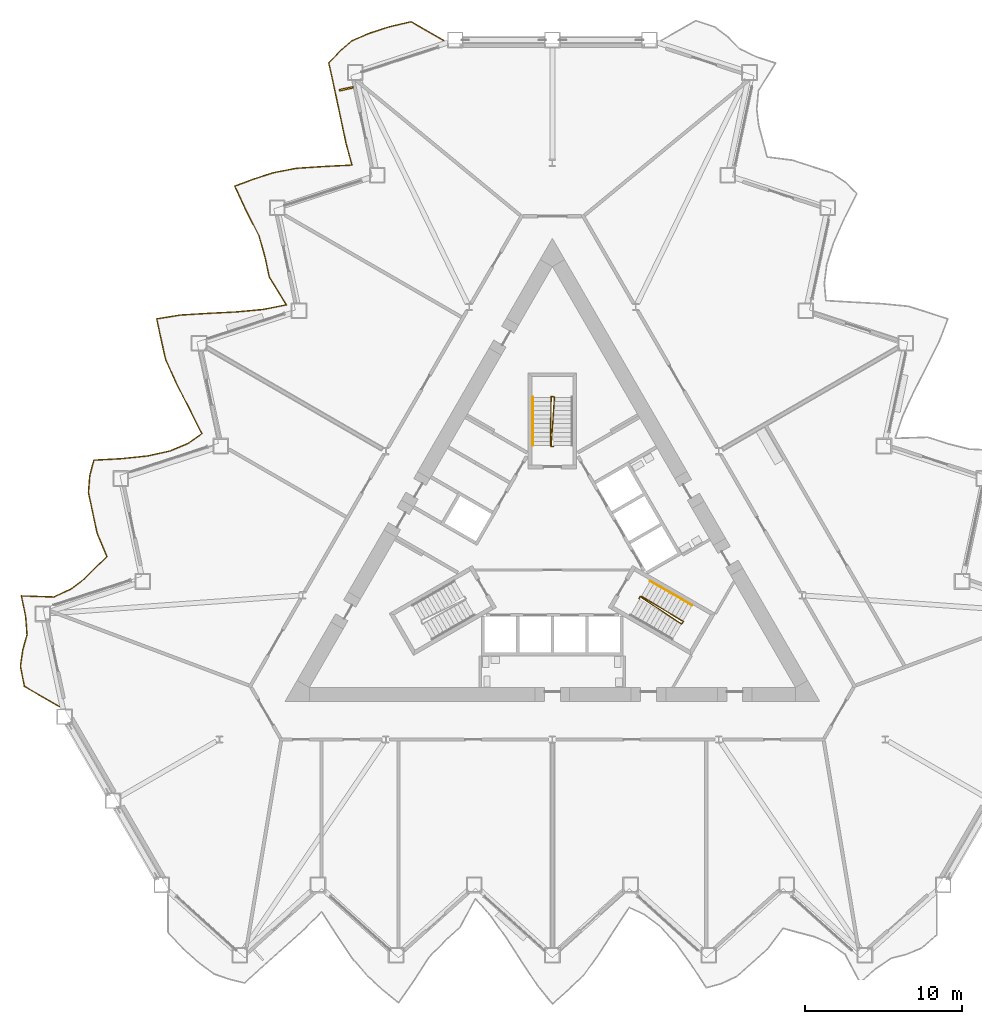
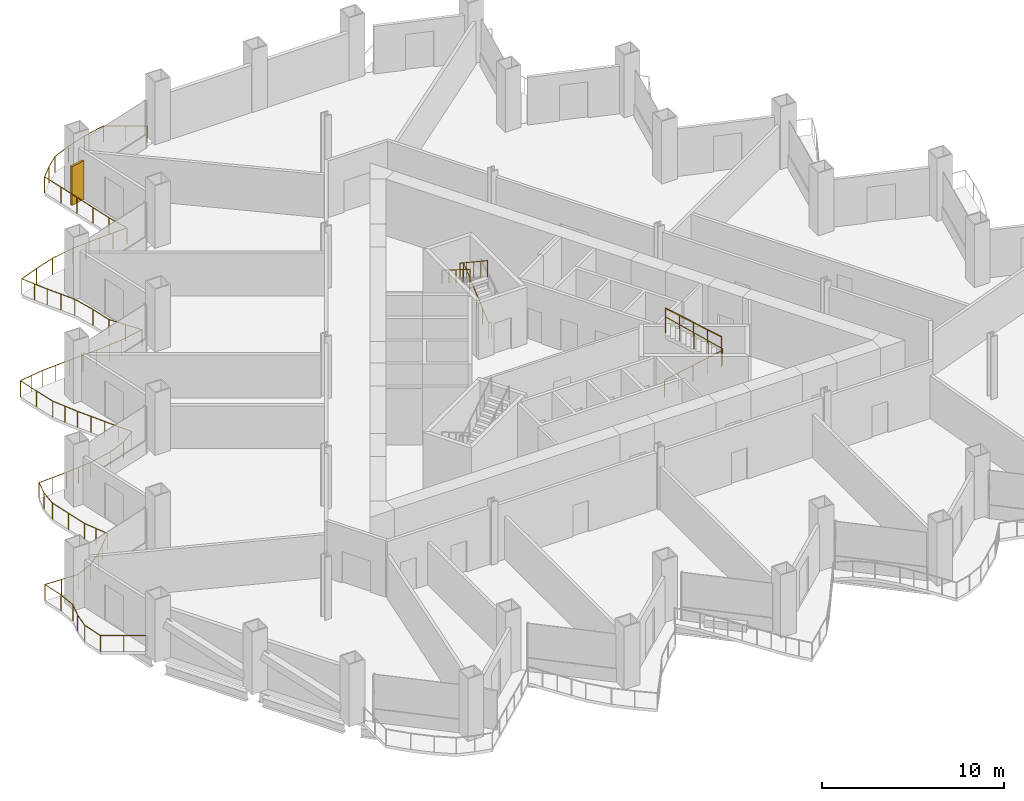
# One storey, part 17 of 20: 5 railings, 1 shading device.
"""IFC4 building model written with IfcOpenShell, lengths in metres."""

from ifc_helpers import new_model, si_unit, direction, frame, origin, origin_2d, place, context, subcontext, project, spatial, rectangle, circle, extrude, material, layer, layer_set, type_object, element, save


model = new_model("IFC4")

# Units and contexts
model_context = context("Model", 3, precision=1e-05, world=origin(), true_north=direction((0.0, 1.0)))
body_context = subcontext(model_context, "Body", "Model", "MODEL_VIEW")
ifc_project = project(units=[si_unit("LENGTHUNIT", "METRE"), si_unit("AREAUNIT", "SQUARE_METRE"), si_unit("VOLUMEUNIT", "CUBIC_METRE"), si_unit("PLANEANGLEUNIT", "RADIAN"), si_unit("MASSUNIT", "GRAM", prefix="KILO")], contexts=[model_context])

# Site, building, storey
site_placement = place(None, origin())
site = spatial("IfcSite", under=ifc_project, at=site_placement, CompositionType="ELEMENT")
building_placement = place(site_placement, origin())
building = spatial("IfcBuilding", under=site, at=building_placement, Name="Cormorant Prow Tower", CompositionType="ELEMENT")
storey_placement = place(building_placement, frame((0.0, 0.0, 63.60009765625)))
storey = spatial("IfcBuildingStorey", under=building, at=storey_placement, Name="L13", CompositionType="ELEMENT", Elevation=63.60009765625)

# Railings
ifc_material_1 = material(Name="Aluminium 6063-T6", Category="aluminium")
railing_type_1 = type_object("IfcRailingType", Name="Balcony guard 1100", PredefinedType="GUARDRAIL", material=ifc_material_1)
railing_1_placement = place(storey_placement, frame((-6.89013671875, 32.197509765625, 0.0)))
element("IfcRailing", 1, at=railing_1_placement, inside=storey, type_object=railing_type_1, Name="Balcony guard WNW", PredefinedType="GUARDRAIL", context=body_context, shape_type="SweptSolid", body=[
    extrude(circle(Radius=0.02392578125, at=origin_2d()), frame((0.0, 0.0, 1.076171875), z_axis=(-0.86600970956, 0.500027182209, 0.0), x_axis=(-0.500027182209, -0.86600970956, 0.0)), (0.0, 0.0, 1.0), 2.404052734375),
    extrude(circle(Radius=0.02392578125, at=origin_2d()), frame((-2.08203125, 1.2021484375, 1.076171875), z_axis=(-0.974143458387, -0.225930348742, 0.0), x_axis=(0.225930348742, -0.974143458387, 0.0)), (0.0, 0.0, 1.0), 1.431884765625),
    extrude(circle(Radius=0.02392578125, at=origin_2d()), frame((-3.476806640625, 0.878662109375, 1.076171875), z_axis=(-0.951050435231, -0.30903570934, 0.0), x_axis=(0.30903570934, -0.951050435231, 0.0)), (0.0, 0.0, 1.0), 1.3154296875),
    extrude(circle(Radius=0.02392578125, at=origin_2d()), frame((-4.727783203125, 0.47216796875, 1.076171875), z_axis=(-0.919423874119, -0.39326802527, 0.0), x_axis=(0.39326802527, -0.919423874119, 0.0)), (0.0, 0.0, 1.0), 1.2216796875),
    extrude(circle(Radius=0.02392578125, at=origin_2d()), frame((-5.85107421875, -0.00830078125, 1.076171875), z_axis=(-0.753994763971, -0.656880427402, 0.0), x_axis=(0.656880427402, -0.753994763971, 0.0)), (0.0, 0.0, 1.0), 1.033203125),
    extrude(circle(Radius=0.02392578125, at=origin_2d()), frame((-6.630126953125, -0.68701171875, 1.076171875), z_axis=(-0.69327825014, -0.72067001317, 0.0), x_axis=(0.72067001317, -0.69327825014, 0.0)), (0.0, 0.0, 1.0), 1.007080078125),
    extrude(circle(Radius=0.02392578125, at=origin_2d()), frame((-7.328369140625, -1.412841796875, 1.076171875), z_axis=(0.218370454667, -0.975865945983, 0.0), x_axis=(0.975865945983, 0.218370454667, 0.0)), (0.0, 0.0, 1.0), 1.328125),
    extrude(circle(Radius=0.02392578125, at=origin_2d()), frame((-7.038330078125, -2.708984375, 1.076171875), z_axis=(0.207880954361, -0.978154133465, 0.0), x_axis=(0.978154133465, 0.207880954361, 0.0)), (0.0, 0.0, 1.0), 1.3154296875),
    extrude(circle(Radius=0.02392578125, at=origin_2d()), frame((-6.764892578125, -3.99560546875, 1.076171875), z_axis=(0.207843219599, -0.978162152236, 0.0), x_axis=(0.978162152236, 0.207843219599, 0.0)), (0.0, 0.0, 1.0), 1.315673828125),
    extrude(circle(Radius=0.02392578125, at=origin_2d()), frame((-6.491455078125, -5.282470703125, 1.076171875), z_axis=(0.20805853112, -0.978116377344, 0.0), x_axis=(0.978116377344, 0.20805853112, 0.0)), (0.0, 0.0, 1.0), 1.3154296875),
    extrude(circle(Radius=0.02392578125, at=origin_2d()), frame((-6.2177734375, -6.569091796875, 1.076171875), z_axis=(0.263726899896, -0.964597388692, 0.0), x_axis=(0.964597388692, 0.263726899896, 0.0)), (0.0, 0.0, 1.0), 1.389404296875),
    extrude(circle(Radius=0.02392578125, at=origin_2d()), frame((-5.851318359375, -7.909423828125, 1.076171875), z_axis=(-0.998806724345, -0.04883776615, 0.0), x_axis=(0.04883776615, -0.998806724345, 0.0)), (0.0, 0.0, 1.0), 1.8046875),
    extrude(circle(Radius=0.02392578125, at=origin_2d()), frame((-7.65380859375, -7.99755859375, 1.076171875), z_axis=(-0.997730027653, -0.067340863671, 0.0), x_axis=(0.067340863671, -0.997730027653, 0.0)), (0.0, 0.0, 1.0), 1.754638671875),
    extrude(circle(Radius=0.02392578125, at=origin_2d()), frame((-9.404541015625, -8.11572265625, 1.076171875), z_axis=(-0.98160088559, -0.190944236385, 0.0), x_axis=(0.190944236385, -0.98160088559, 0.0)), (0.0, 0.0, 1.0), 1.489501953125),
    extrude(circle(Radius=0.02392578125, at=origin_2d()), frame((-10.86669921875, -8.400146484375, 1.076171875), z_axis=(-0.951050435231, -0.30903570934, 0.0), x_axis=(0.30903570934, -0.951050435231, 0.0)), (0.0, 0.0, 1.0), 1.3154296875),
    extrude(circle(Radius=0.02392578125, at=origin_2d()), frame((-12.11767578125, -8.806640625, 1.076171875), z_axis=(-0.935884159176, -0.352307877578, 0.0), x_axis=(0.352307877578, -0.935884159176, 0.0)), (0.0, 0.0, 1.0), 1.2646484375),
    extrude(circle(Radius=0.02392578125, at=origin_2d()), frame((-13.30126953125, -9.252197265625, 1.076171875), z_axis=(0.422336204889, -0.906439258881, 0.0), x_axis=(0.906439258881, 0.422336204889, 0.0)), (0.0, 0.0, 1.0), 1.70361328125),
    extrude(circle(Radius=0.02392578125, at=origin_2d()), frame((-12.581787109375, -10.79638671875, 1.076171875), z_axis=(0.456454133218, -0.88974694395, 0.0), x_axis=(0.88974694395, 0.456454133218, 0.0)), (0.0, 0.0, 1.0), 1.802490234375),
    extrude(circle(Radius=0.02392578125, at=origin_2d()), frame((-11.759033203125, -12.400146484375, 1.076171875), z_axis=(0.271220034755, -0.962517372699, 0.0), x_axis=(0.962517372699, 0.271220034755, 0.0)), (0.0, 0.0, 1.0), 1.400634765625),
    extrude(circle(Radius=0.02392578125, at=origin_2d()), frame((-11.379150390625, -13.748291015625, 1.076171875), z_axis=(0.207880954361, -0.978154133465, 0.0), x_axis=(0.978154133465, 0.207880954361, 0.0)), (0.0, 0.0, 1.0), 1.3154296875),
    extrude(circle(Radius=0.02392578125, at=origin_2d()), frame((-11.105712890625, -15.034912109375, 1.076171875), z_axis=(0.526586384621, -0.850121626317, 0.0), x_axis=(0.850121626317, 0.526586384621, 0.0)), (0.0, 0.0, 1.0), 2.06689453125),
    extrude(circle(Radius=0.02392578125, at=origin_2d()), frame((-10.017333984375, -16.7919921875, 1.076171875), z_axis=(-0.980945932653, -0.194280923438, 0.0), x_axis=(0.194280923438, -0.980945932653, 0.0)), (0.0, 0.0, 1.0), 1.484130859375),
    extrude(circle(Radius=0.02392578125, at=origin_2d()), frame((-11.47314453125, -17.080322265625, 1.076171875), z_axis=(-0.995678573646, -0.092866452401, 0.0), x_axis=(0.092866452401, -0.995678573646, 0.0)), (0.0, 0.0, 1.0), 1.6904296875),
    extrude(circle(Radius=0.02392578125, at=origin_2d()), frame((-13.15625, -17.2373046875, 1.076171875), z_axis=(-0.99871175127, -0.050742860342, 0.0), x_axis=(0.050742860342, -0.99871175127, 0.0)), (0.0, 0.0, 1.0), 1.79931640625),
    extrude(circle(Radius=0.02392578125, at=origin_2d()), frame((-14.953369140625, -17.32861328125, 1.076171875), z_axis=(-0.998160925845, -0.060619849189, 0.0), x_axis=(0.060619849189, -0.998160925845, 0.0)), (0.0, 0.0, 1.0), 1.77197265625),
    extrude(circle(Radius=0.02392578125, at=origin_2d()), frame((-16.72216796875, -17.43603515625, 1.076171875), z_axis=(-0.987699172719, -0.15636605837, 0.0), x_axis=(0.15636605837, -0.987699172719, 0.0)), (0.0, 0.0, 1.0), 1.553466796875),
    extrude(circle(Radius=0.02392578125, at=origin_2d()), frame((-18.256591796875, -17.678955078125, 1.076171875), z_axis=(0.207843219599, -0.978162152236, 0.0), x_axis=(0.978162152236, 0.207843219599, 0.0)), (0.0, 0.0, 1.0), 1.315673828125),
    extrude(circle(Radius=0.02392578125, at=origin_2d()), frame((-17.983154296875, -18.9658203125, 1.076171875), z_axis=(0.216403906622, -0.976303922556, 0.0), x_axis=(0.976303922556, 0.216403906622, 0.0)), (0.0, 0.0, 1.0), 1.32568359375),
    extrude(circle(Radius=0.02392578125, at=origin_2d()), frame((-17.6962890625, -20.260009765625, 1.076171875), z_axis=(0.41179356298, -0.911277159534, 0.0), x_axis=(0.911277159534, 0.41179356298, 0.0)), (0.0, 0.0, 1.0), 1.676025390625),
    extrude(circle(Radius=0.02392578125, at=origin_2d()), frame((-17.006103515625, -21.787353515625, 1.076171875), z_axis=(0.454162052774, -0.890919092747, 0.0), x_axis=(0.890919092747, 0.454162052774, 0.0)), (0.0, 0.0, 1.0), 1.79541015625),
    extrude(circle(Radius=0.02392578125, at=origin_2d()), frame((-16.190673828125, -23.386962890625, 1.076171875), z_axis=(0.449023589782, -0.893519902307, 0.0), x_axis=(0.893519902307, 0.449023589782, 0.0)), (0.0, 0.0, 1.0), 1.779541015625),
    extrude(circle(Radius=0.02392578125, at=origin_2d()), frame((-15.3916015625, -24.97705078125, 1.076171875), z_axis=(-0.816559064368, -0.577261894116, 0.0), x_axis=(0.577261894116, -0.816559064368, 0.0)), (0.0, 0.0, 1.0), 1.076416015625),
    extrude(circle(Radius=0.02392578125, at=origin_2d()), frame((-16.2705078125, -25.598388671875, 1.076171875), z_axis=(-0.921365275246, -0.388697864119, 0.0), x_axis=(0.388697864119, -0.921365275246, 0.0)), (0.0, 0.0, 1.0), 1.22607421875),
    extrude(circle(Radius=0.02392578125, at=origin_2d()), frame((-17.400146484375, -26.074951171875, 1.076171875), z_axis=(-0.976191031869, -0.216912584463, 0.0), x_axis=(0.216912584463, -0.976191031869, 0.0)), (0.0, 0.0, 1.0), 1.4462890625),
    extrude(circle(Radius=0.02392578125, at=origin_2d()), frame((-18.81201171875, -26.388671875, 1.076171875), z_axis=(-0.994448942205, -0.105220251606, 0.0), x_axis=(0.105220251606, -0.994448942205, 0.0)), (0.0, 0.0, 1.0), 1.661376953125),
    extrude(circle(Radius=0.02392578125, at=origin_2d()), frame((-20.464111328125, -26.5634765625, 1.076171875), z_axis=(-0.998541081277, -0.053997305501, 0.0), x_axis=(0.053997305501, -0.998541081277, 0.0)), (0.0, 0.0, 1.0), 1.79052734375),
    extrude(circle(Radius=0.02392578125, at=origin_2d()), frame((-22.251953125, -26.66015625, 1.076171875), z_axis=(-0.25550165433, -0.966808618412, 0.0), x_axis=(0.966808618412, -0.25550165433, 0.0)), (0.0, 0.0, 1.0), 1.012939453125),
    extrude(circle(Radius=0.02392578125, at=origin_2d()), frame((-22.5107421875, -27.639404296875, 1.076171875), z_axis=(-0.080076936744, -0.996788685832, 0.0), x_axis=(0.996788685832, -0.080076936744, 0.0)), (0.0, 0.0, 1.0), 1.082275390625),
    extrude(circle(Radius=0.02392578125, at=origin_2d()), frame((-22.597412109375, -28.71826171875, 1.076171875), z_axis=(0.207843219599, -0.978162152236, 0.0), x_axis=(0.978162152236, 0.207843219599, 0.0)), (0.0, 0.0, 1.0), 1.315673828125),
    extrude(circle(Radius=0.02392578125, at=origin_2d()), frame((-22.323974609375, -30.005126953125, 1.076171875), z_axis=(0.208096308605, -0.978108340801, 0.0), x_axis=(0.978108340801, 0.208096308605, 0.0)), (0.0, 0.0, 1.0), 1.315185546875),
    extrude(circle(Radius=0.02392578125, at=origin_2d()), frame((-22.05029296875, -31.29150390625, 1.076171875), z_axis=(0.386129109444, -0.922444746768, 0.0), x_axis=(0.922444746768, 0.386129109444, 0.0)), (0.0, 0.0, 1.0), 1.6142578125),
    extrude(circle(Radius=0.02392578125, at=origin_2d()), frame((-21.427001953125, -32.780517578125, 1.076171875), z_axis=(-0.710711333139, -0.703483760259, 0.0), x_axis=(0.703483760259, -0.710711333139, 0.0)), (0.0, 0.0, 1.0), 1.013427734375),
    extrude(circle(Radius=0.02392578125, at=origin_2d()), frame((-22.147216796875, -33.493408203125, 1.076171875), z_axis=(-0.705051426943, -0.709156178402, 0.0), x_axis=(0.709156178402, -0.705051426943, 0.0)), (0.0, 0.0, 1.0), 1.01123046875),
    extrude(circle(Radius=0.02392578125, at=origin_2d()), frame((-22.860107421875, -34.21044921875, 1.076171875), z_axis=(-0.797118998613, -0.603822243753, 0.0), x_axis=(0.603822243753, -0.797118998613, 0.0)), (0.0, 0.0, 1.0), 1.06103515625),
    extrude(circle(Radius=0.02392578125, at=origin_2d()), frame((-23.705810546875, -34.85107421875, 1.076171875), z_axis=(-0.907384702576, -0.42030108438, 0.0), x_axis=(0.42030108438, -0.907384702576, 0.0)), (0.0, 0.0, 1.0), 1.1953125),
    extrude(circle(Radius=0.02392578125, at=origin_2d()), frame((-24.79052734375, -35.353515625, 1.076171875), z_axis=(-0.999468051199, 0.032613105216, 0.0), x_axis=(-0.032613105216, -0.999468051199, 0.0)), (0.0, 0.0, 1.0), 2.07373046875),
    extrude(circle(Radius=0.02392578125, at=origin_2d()), frame((-26.863037109375, -35.285888671875, 1.076171875), z_axis=(0.20805853112, -0.978116377344, 0.0), x_axis=(0.978116377344, 0.20805853112, 0.0)), (0.0, 0.0, 1.0), 1.3154296875),
    extrude(circle(Radius=0.02392578125, at=origin_2d()), frame((-26.58935546875, -36.572509765625, 1.076171875), z_axis=(0.074312688106, -0.997234989552, 0.0), x_axis=(0.997234989552, 0.074312688106, 0.0)), (0.0, 0.0, 1.0), 1.1826171875),
    extrude(circle(Radius=0.02392578125, at=origin_2d()), frame((-26.50146484375, -37.751953125, 1.076171875), z_axis=(-0.267145067543, -0.963656325091, 0.0), x_axis=(0.963656325091, -0.267145067543, 0.0)), (0.0, 0.0, 1.0), 1.009765625),
    extrude(circle(Radius=0.02392578125, at=origin_2d()), frame((-26.771240234375, -38.72509765625, 1.076171875), z_axis=(-0.139670047825, -0.990198100251, 0.0), x_axis=(0.990198100251, -0.139670047825, 0.0)), (0.0, 0.0, 1.0), 1.053955078125),
    extrude(circle(Radius=0.02392578125, at=origin_2d()), frame((-26.91845703125, -39.768798828125, 1.076171875), z_axis=(0.195249566412, -0.980753591284, 0.0), x_axis=(0.980753591284, 0.195249566412, 0.0)), (0.0, 0.0, 1.0), 1.300537109375),
    extrude(circle(Radius=0.02392578125, at=origin_2d()), frame((-26.66455078125, -41.044189453125, 1.076171875), z_axis=(0.866030548046, -0.499991089772, 0.0), x_axis=(0.499991089772, 0.866030548046, 0.0)), (0.0, 0.0, 1.0), 2.56982421875),
    extrude(circle(Radius=0.02099609375, at=origin_2d()), origin(), (0.0, 0.0, 1.0), 1.052001953125),
    extrude(circle(Radius=0.02099609375, at=origin_2d()), frame((-1.041015625, 0.60107421875, 0.0)), (0.0, 0.0, 1.0), 1.052001953125),
    extrude(circle(Radius=0.02099609375, at=origin_2d()), frame((-2.08203125, 1.2021484375, 0.0)), (0.0, 0.0, 1.0), 1.052001953125),
    extrude(circle(Radius=0.02099609375, at=origin_2d()), frame((-3.476806640625, 0.878662109375, 0.0)), (0.0, 0.0, 1.0), 1.052001953125),
    extrude(circle(Radius=0.02099609375, at=origin_2d()), frame((-4.727783203125, 0.47216796875, 0.0)), (0.0, 0.0, 1.0), 1.052001953125),
    extrude(circle(Radius=0.02099609375, at=origin_2d()), frame((-5.85107421875, -0.00830078125, 0.0)), (0.0, 0.0, 1.0), 1.052001953125),
    extrude(circle(Radius=0.02099609375, at=origin_2d()), frame((-6.630126953125, -0.68701171875, 0.0)), (0.0, 0.0, 1.0), 1.052001953125),
    extrude(circle(Radius=0.02099609375, at=origin_2d()), frame((-7.328369140625, -1.412841796875, 0.0)), (0.0, 0.0, 1.0), 1.052001953125),
    extrude(circle(Radius=0.02099609375, at=origin_2d()), frame((-7.038330078125, -2.708984375, 0.0)), (0.0, 0.0, 1.0), 1.052001953125),
    extrude(circle(Radius=0.02099609375, at=origin_2d()), frame((-6.764892578125, -3.99560546875, 0.0)), (0.0, 0.0, 1.0), 1.052001953125),
    extrude(circle(Radius=0.02099609375, at=origin_2d()), frame((-6.491455078125, -5.282470703125, 0.0)), (0.0, 0.0, 1.0), 1.052001953125),
    extrude(circle(Radius=0.02099609375, at=origin_2d()), frame((-6.2177734375, -6.569091796875, 0.0)), (0.0, 0.0, 1.0), 1.052001953125),
    extrude(circle(Radius=0.02099609375, at=origin_2d()), frame((-5.851318359375, -7.909423828125, 0.0)), (0.0, 0.0, 1.0), 1.052001953125),
    extrude(circle(Radius=0.02099609375, at=origin_2d()), frame((-6.75244140625, -7.95361328125, 0.0)), (0.0, 0.0, 1.0), 1.052001953125),
    extrude(circle(Radius=0.02099609375, at=origin_2d()), frame((-7.65380859375, -7.99755859375, 0.0)), (0.0, 0.0, 1.0), 1.052001953125),
    extrude(circle(Radius=0.02099609375, at=origin_2d()), frame((-8.529296875, -8.056640625, 0.0)), (0.0, 0.0, 1.0), 1.052001953125),
    extrude(circle(Radius=0.02099609375, at=origin_2d()), frame((-9.404541015625, -8.11572265625, 0.0)), (0.0, 0.0, 1.0), 1.052001953125),
    extrude(circle(Radius=0.02099609375, at=origin_2d()), frame((-10.86669921875, -8.400146484375, 0.0)), (0.0, 0.0, 1.0), 1.052001953125),
    extrude(circle(Radius=0.02099609375, at=origin_2d()), frame((-12.11767578125, -8.806640625, 0.0)), (0.0, 0.0, 1.0), 1.052001953125),
    extrude(circle(Radius=0.02099609375, at=origin_2d()), frame((-13.30126953125, -9.252197265625, 0.0)), (0.0, 0.0, 1.0), 1.052001953125),
    extrude(circle(Radius=0.02099609375, at=origin_2d()), frame((-12.94140625, -10.0244140625, 0.0)), (0.0, 0.0, 1.0), 1.052001953125),
    extrude(circle(Radius=0.02099609375, at=origin_2d()), frame((-12.581787109375, -10.79638671875, 0.0)), (0.0, 0.0, 1.0), 1.052001953125),
    extrude(circle(Radius=0.02099609375, at=origin_2d()), frame((-12.17041015625, -11.59814453125, 0.0)), (0.0, 0.0, 1.0), 1.052001953125),
    extrude(circle(Radius=0.02099609375, at=origin_2d()), frame((-11.759033203125, -12.400146484375, 0.0)), (0.0, 0.0, 1.0), 1.052001953125),
    extrude(circle(Radius=0.02099609375, at=origin_2d()), frame((-11.379150390625, -13.748291015625, 0.0)), (0.0, 0.0, 1.0), 1.052001953125),
    extrude(circle(Radius=0.02099609375, at=origin_2d()), frame((-11.105712890625, -15.034912109375, 0.0)), (0.0, 0.0, 1.0), 1.052001953125),
    extrude(circle(Radius=0.02099609375, at=origin_2d()), frame((-10.5615234375, -15.91357421875, 0.0)), (0.0, 0.0, 1.0), 1.052001953125),
    extrude(circle(Radius=0.02099609375, at=origin_2d()), frame((-10.017333984375, -16.7919921875, 0.0)), (0.0, 0.0, 1.0), 1.052001953125),
    extrude(circle(Radius=0.02099609375, at=origin_2d()), frame((-11.47314453125, -17.080322265625, 0.0)), (0.0, 0.0, 1.0), 1.052001953125),
    extrude(circle(Radius=0.02099609375, at=origin_2d()), frame((-12.314697265625, -17.15869140625, 0.0)), (0.0, 0.0, 1.0), 1.052001953125),
    extrude(circle(Radius=0.02099609375, at=origin_2d()), frame((-13.15625, -17.2373046875, 0.0)), (0.0, 0.0, 1.0), 1.052001953125),
    extrude(circle(Radius=0.02099609375, at=origin_2d()), frame((-14.0546875, -17.282958984375, 0.0)), (0.0, 0.0, 1.0), 1.052001953125),
    extrude(circle(Radius=0.02099609375, at=origin_2d()), frame((-14.953369140625, -17.32861328125, 0.0)), (0.0, 0.0, 1.0), 1.052001953125),
    extrude(circle(Radius=0.02099609375, at=origin_2d()), frame((-15.837890625, -17.38232421875, 0.0)), (0.0, 0.0, 1.0), 1.052001953125),
    extrude(circle(Radius=0.02099609375, at=origin_2d()), frame((-16.72216796875, -17.43603515625, 0.0)), (0.0, 0.0, 1.0), 1.052001953125),
    extrude(circle(Radius=0.02099609375, at=origin_2d()), frame((-17.4892578125, -17.5576171875, 0.0)), (0.0, 0.0, 1.0), 1.052001953125),
    extrude(circle(Radius=0.02099609375, at=origin_2d()), frame((-18.256591796875, -17.678955078125, 0.0)), (0.0, 0.0, 1.0), 1.052001953125),
    extrude(circle(Radius=0.02099609375, at=origin_2d()), frame((-17.983154296875, -18.9658203125, 0.0)), (0.0, 0.0, 1.0), 1.052001953125),
    extrude(circle(Radius=0.02099609375, at=origin_2d()), frame((-17.6962890625, -20.260009765625, 0.0)), (0.0, 0.0, 1.0), 1.052001953125),
    extrude(circle(Radius=0.02099609375, at=origin_2d()), frame((-17.35107421875, -21.023681640625, 0.0)), (0.0, 0.0, 1.0), 1.052001953125),
    extrude(circle(Radius=0.02099609375, at=origin_2d()), frame((-17.006103515625, -21.787353515625, 0.0)), (0.0, 0.0, 1.0), 1.052001953125),
    extrude(circle(Radius=0.02099609375, at=origin_2d()), frame((-16.598388671875, -22.587158203125, 0.0)), (0.0, 0.0, 1.0), 1.052001953125),
    extrude(circle(Radius=0.02099609375, at=origin_2d()), frame((-16.190673828125, -23.386962890625, 0.0)), (0.0, 0.0, 1.0), 1.052001953125),
    extrude(circle(Radius=0.02099609375, at=origin_2d()), frame((-15.791015625, -24.18212890625, 0.0)), (0.0, 0.0, 1.0), 1.052001953125),
    extrude(circle(Radius=0.02099609375, at=origin_2d()), frame((-15.3916015625, -24.97705078125, 0.0)), (0.0, 0.0, 1.0), 1.052001953125),
    extrude(circle(Radius=0.02099609375, at=origin_2d()), frame((-16.2705078125, -25.598388671875, 0.0)), (0.0, 0.0, 1.0), 1.052001953125),
    extrude(circle(Radius=0.02099609375, at=origin_2d()), frame((-17.400146484375, -26.074951171875, 0.0)), (0.0, 0.0, 1.0), 1.052001953125),
    extrude(circle(Radius=0.02099609375, at=origin_2d()), frame((-18.81201171875, -26.388671875, 0.0)), (0.0, 0.0, 1.0), 1.052001953125),
    extrude(circle(Radius=0.02099609375, at=origin_2d()), frame((-19.63818359375, -26.47607421875, 0.0)), (0.0, 0.0, 1.0), 1.052001953125),
    extrude(circle(Radius=0.02099609375, at=origin_2d()), frame((-20.464111328125, -26.5634765625, 0.0)), (0.0, 0.0, 1.0), 1.052001953125),
    extrude(circle(Radius=0.02099609375, at=origin_2d()), frame((-21.35791015625, -26.61181640625, 0.0)), (0.0, 0.0, 1.0), 1.052001953125),
    extrude(circle(Radius=0.02099609375, at=origin_2d()), frame((-22.251953125, -26.66015625, 0.0)), (0.0, 0.0, 1.0), 1.052001953125),
    extrude(circle(Radius=0.02099609375, at=origin_2d()), frame((-22.5107421875, -27.639404296875, 0.0)), (0.0, 0.0, 1.0), 1.052001953125),
    extrude(circle(Radius=0.02099609375, at=origin_2d()), frame((-22.597412109375, -28.71826171875, 0.0)), (0.0, 0.0, 1.0), 1.052001953125),
    extrude(circle(Radius=0.02099609375, at=origin_2d()), frame((-22.323974609375, -30.005126953125, 0.0)), (0.0, 0.0, 1.0), 1.052001953125),
    extrude(circle(Radius=0.02099609375, at=origin_2d()), frame((-22.05029296875, -31.29150390625, 0.0)), (0.0, 0.0, 1.0), 1.052001953125),
    extrude(circle(Radius=0.02099609375, at=origin_2d()), frame((-21.73876953125, -32.0361328125, 0.0)), (0.0, 0.0, 1.0), 1.052001953125),
    extrude(circle(Radius=0.02099609375, at=origin_2d()), frame((-21.427001953125, -32.780517578125, 0.0)), (0.0, 0.0, 1.0), 1.052001953125),
    extrude(circle(Radius=0.02099609375, at=origin_2d()), frame((-22.147216796875, -33.493408203125, 0.0)), (0.0, 0.0, 1.0), 1.052001953125),
    extrude(circle(Radius=0.02099609375, at=origin_2d()), frame((-22.860107421875, -34.21044921875, 0.0)), (0.0, 0.0, 1.0), 1.052001953125),
    extrude(circle(Radius=0.02099609375, at=origin_2d()), frame((-23.705810546875, -34.85107421875, 0.0)), (0.0, 0.0, 1.0), 1.052001953125),
    extrude(circle(Radius=0.02099609375, at=origin_2d()), frame((-24.79052734375, -35.353515625, 0.0)), (0.0, 0.0, 1.0), 1.052001953125),
    extrude(circle(Radius=0.02099609375, at=origin_2d()), frame((-25.82666015625, -35.31982421875, 0.0)), (0.0, 0.0, 1.0), 1.052001953125),
    extrude(circle(Radius=0.02099609375, at=origin_2d()), frame((-26.863037109375, -35.285888671875, 0.0)), (0.0, 0.0, 1.0), 1.052001953125),
    extrude(circle(Radius=0.02099609375, at=origin_2d()), frame((-26.58935546875, -36.572509765625, 0.0)), (0.0, 0.0, 1.0), 1.052001953125),
    extrude(circle(Radius=0.02099609375, at=origin_2d()), frame((-26.50146484375, -37.751953125, 0.0)), (0.0, 0.0, 1.0), 1.052001953125),
    extrude(circle(Radius=0.02099609375, at=origin_2d()), frame((-26.771240234375, -38.72509765625, 0.0)), (0.0, 0.0, 1.0), 1.052001953125),
    extrude(circle(Radius=0.02099609375, at=origin_2d()), frame((-26.91845703125, -39.768798828125, 0.0)), (0.0, 0.0, 1.0), 1.052001953125),
    extrude(circle(Radius=0.02099609375, at=origin_2d()), frame((-26.66455078125, -41.044189453125, 0.0)), (0.0, 0.0, 1.0), 1.052001953125),
    extrude(circle(Radius=0.02099609375, at=origin_2d()), frame((-25.5517578125, -41.6865234375, 0.0)), (0.0, 0.0, 1.0), 1.052001953125),
    extrude(circle(Radius=0.02099609375, at=origin_2d()), frame((-24.43896484375, -42.3291015625, 0.0)), (0.0, 0.0, 1.0), 1.052001953125),
])
ifc_material_2 = material(Name="Stainless steel", Category="steel")
railing_type_2 = type_object("IfcRailingType", Name="Stair guard 1100", PredefinedType="GUARDRAIL", material=ifc_material_2)
railing_2_placement = place(storey_placement, frame((5.510009765625, -3.267822265625, 0.0)))
element("IfcRailing", 2, at=railing_2_placement, inside=storey, type_object=railing_type_2, Name="L13 ST2 stair guard 1", PredefinedType="GUARDRAIL", context=body_context, shape_type="SweptSolid", body=[
    extrude(circle(Radius=0.02392578125, at=origin_2d()), frame((0.0, 0.0, 1.076171875), z_axis=(0.501036270542, 0.865426285481, 0.0), x_axis=(-0.865426285481, 0.501036270542, 0.0)), (0.0, 0.0, 1.0), 0.150146484375),
    extrude(circle(Radius=0.02392578125, at=origin_2d()), frame((0.0751953125, 0.1298828125, 1.076171875), z_axis=(0.691655524431, -0.460543096787, 0.55633864824), x_axis=(0.554233058506, 0.832361530141, 0.0)), (0.0, 0.0, 1.0), 3.7744140625),
    extrude(circle(Radius=0.02392578125, at=origin_2d()), frame((2.685791015625, -1.6083984375, 3.17578125), z_axis=(0.695164929852, 0.718850276695, 0.0), x_axis=(-0.718850276695, 0.695164929852, 0.0)), (0.0, 0.0, 1.0), 0.2060546875),
    extrude(circle(Radius=0.02392578125, at=origin_2d()), frame((2.8291015625, -1.460205078125, 3.17578125), z_axis=(-0.712463317363, 0.426661970256, 0.557095669117), x_axis=(-0.513773053629, -0.857926132814, 0.0)), (0.0, 0.0, 1.0), 3.769775390625),
    extrude(circle(Radius=0.02099609375, at=origin_2d()), origin(), (0.0, 0.0, 1.0), 1.052001953125),
    extrude(circle(Radius=0.02099609375, at=origin_2d()), frame((0.0751953125, 0.1298828125, 0.0)), (0.0, 0.0, 1.0), 1.052001953125),
    extrude(circle(Radius=0.02099609375, at=origin_2d()), frame((0.727783203125, -0.3046875, 0.52490234375)), (0.0, 0.0, 1.0), 1.052001953125),
    extrude(circle(Radius=0.02099609375, at=origin_2d()), frame((1.38037109375, -0.7392578125, 1.0498046875)), (0.0, 0.0, 1.0), 1.052001953125),
    extrude(circle(Radius=0.02099609375, at=origin_2d()), frame((2.033203125, -1.173828125, 1.574951171875)), (0.0, 0.0, 1.0), 1.052001953125),
    extrude(circle(Radius=0.02099609375, at=origin_2d()), frame((2.685791015625, -1.6083984375, 2.099853515625)), (0.0, 0.0, 1.0), 1.052001953125),
    extrude(circle(Radius=0.02099609375, at=origin_2d()), frame((2.8291015625, -1.460205078125, 2.099853515625)), (0.0, 0.0, 1.0), 1.052001953125),
    extrude(circle(Radius=0.02099609375, at=origin_2d()), frame((2.15771484375, -1.05810546875, 2.625)), (0.0, 0.0, 1.0), 1.052001953125),
    extrude(circle(Radius=0.02099609375, at=origin_2d()), frame((1.486328125, -0.656005859375, 3.14990234375)), (0.0, 0.0, 1.0), 1.052001953125),
    extrude(circle(Radius=0.02099609375, at=origin_2d()), frame((0.814697265625, -0.25390625, 3.6748046875)), (0.0, 0.0, 1.0), 1.052001953125),
    extrude(circle(Radius=0.02099609375, at=origin_2d()), frame((0.143310546875, 0.148193359375, 4.199951171875)), (0.0, 0.0, 1.0), 1.052001953125),
])
railing_3_placement = place(storey_placement, frame((0.074951171875, 6.40576171875, 0.0)))
element("IfcRailing", 3, at=railing_3_placement, inside=storey, type_object=railing_type_2, Name="L13 ST3 stair guard 1", PredefinedType="GUARDRAIL", context=body_context, shape_type="SweptSolid", body=[
    extrude(circle(Radius=0.02392578125, at=origin_2d()), frame((0.0, 0.0, 1.076171875), z_axis=(-1.0, 0.0, 0.0), x_axis=(0.0, -1.0, 0.0)), (0.0, 0.0, 1.0), 0.14990234375),
    extrude(circle(Radius=0.02392578125, at=origin_2d()), frame((-0.14990234375, 0.0, 1.076171875), z_axis=(0.052973824345, 0.829276437025, 0.556322177276), x_axis=(-0.997965923181, 0.063749636618, 0.0)), (0.0, 0.0, 1.0), 3.7744140625),
    extrude(circle(Radius=0.02392578125, at=origin_2d()), frame((0.050048828125, 3.130126953125, 3.17578125), z_axis=(-0.970072785993, 0.242814311512, 0.0), x_axis=(-0.242814311512, -0.970072785993, 0.0)), (0.0, 0.0, 1.0), 0.2060546875),
    extrude(circle(Radius=0.02392578125, at=origin_2d()), frame((-0.14990234375, 3.18017578125, 3.17578125), z_axis=(-0.013276620939, -0.830339302729, 0.557099967403), x_axis=(0.999872194171, -0.015987348866, 0.0)), (0.0, 0.0, 1.0), 3.769775390625),
    extrude(circle(Radius=0.02099609375, at=origin_2d()), origin(), (0.0, 0.0, 1.0), 1.052001953125),
    extrude(circle(Radius=0.02099609375, at=origin_2d()), frame((-0.14990234375, 0.0, 0.0)), (0.0, 0.0, 1.0), 1.052001953125),
    extrude(circle(Radius=0.02099609375, at=origin_2d()), frame((-0.099853515625, 0.782470703125, 0.52490234375)), (0.0, 0.0, 1.0), 1.052001953125),
    extrude(circle(Radius=0.02099609375, at=origin_2d()), frame((-0.0498046875, 1.56494140625, 1.0498046875)), (0.0, 0.0, 1.0), 1.052001953125),
    extrude(circle(Radius=0.02099609375, at=origin_2d()), frame((0.0, 2.34765625, 1.574951171875)), (0.0, 0.0, 1.0), 1.052001953125),
    extrude(circle(Radius=0.02099609375, at=origin_2d()), frame((0.050048828125, 3.130126953125, 2.099853515625)), (0.0, 0.0, 1.0), 1.052001953125),
    extrude(circle(Radius=0.02099609375, at=origin_2d()), frame((-0.14990234375, 3.18017578125, 2.099853515625)), (0.0, 0.0, 1.0), 1.052001953125),
    extrude(circle(Radius=0.02099609375, at=origin_2d()), frame((-0.162353515625, 2.397705078125, 2.625)), (0.0, 0.0, 1.0), 1.052001953125),
    extrude(circle(Radius=0.02099609375, at=origin_2d()), frame((-0.1748046875, 1.615234375, 3.14990234375)), (0.0, 0.0, 1.0), 1.052001953125),
    extrude(circle(Radius=0.02099609375, at=origin_2d()), frame((-0.1875, 0.83251953125, 3.6748046875)), (0.0, 0.0, 1.0), 1.052001953125),
    extrude(circle(Radius=0.02099609375, at=origin_2d()), frame((-0.199951171875, 0.050048828125, 4.199951171875)), (0.0, 0.0, 1.0), 1.052001953125),
])
ifc_material_3 = material(Name="Stainless steel", Category="steel")
railing_type_3 = type_object("IfcRailingType", Name="Stair handrail 900", PredefinedType="HANDRAIL", material=ifc_material_3)
railing_4_placement = place(storey_placement, frame((8.88037109375, -3.690673828125, 2.27490234375)))
element("IfcRailing", 4, at=railing_4_placement, inside=storey, type_object=railing_type_3, Name="L13 ST2 stair handrail 2", PredefinedType="HANDRAIL", context=body_context, shape_type="SweptSolid", body=[
    extrude(circle(Radius=0.02392578125, at=origin_2d()), frame((0.0, 0.0, 0.8759765625), z_axis=(-0.734394994316, 0.423994474112, 0.52999309264), x_axis=(-0.499992328818, -0.866029832698, 0.0)), (0.0, 0.0, 1.0), 3.63232421875),
    extrude(circle(Radius=0.02099609375, at=origin_2d()), origin(), (0.0, 0.0, 1.0), 0.851806640625),
    extrude(circle(Radius=0.02099609375, at=origin_2d()), frame((-0.6669921875, 0.385009765625, 0.481201171875)), (0.0, 0.0, 1.0), 0.851806640625),
    extrude(circle(Radius=0.02099609375, at=origin_2d()), frame((-1.333740234375, 0.77001953125, 0.96240234375)), (0.0, 0.0, 1.0), 0.851806640625),
    extrude(circle(Radius=0.02099609375, at=origin_2d()), frame((-2.00048828125, 1.155029296875, 1.44384765625)), (0.0, 0.0, 1.0), 0.851806640625),
    extrude(circle(Radius=0.02099609375, at=origin_2d()), frame((-2.66748046875, 1.5400390625, 1.925048828125)), (0.0, 0.0, 1.0), 0.851806640625),
])
railing_5_placement = place(storey_placement, frame((-1.243896484375, 9.535888671875, 2.27490234375)))
element("IfcRailing", 5, at=railing_5_placement, inside=storey, type_object=railing_type_3, Name="L13 ST3 stair handrail 2", PredefinedType="HANDRAIL", context=body_context, shape_type="SweptSolid", body=[
    extrude(circle(Radius=0.02392578125, at=origin_2d()), frame((0.0, 0.0, 0.8759765625), z_axis=(0.0, -0.847998304005, 0.529998940003), x_axis=(1.0, 0.0, 0.0)), (0.0, 0.0, 1.0), 3.632080078125),
    extrude(circle(Radius=0.02099609375, at=origin_2d()), origin(), (0.0, 0.0, 1.0), 0.851806640625),
    extrude(circle(Radius=0.02099609375, at=origin_2d()), frame((0.0, -0.77001953125, 0.481201171875)), (0.0, 0.0, 1.0), 0.851806640625),
    extrude(circle(Radius=0.02099609375, at=origin_2d()), frame((0.0, -1.5400390625, 0.96240234375)), (0.0, 0.0, 1.0), 0.851806640625),
    extrude(circle(Radius=0.02099609375, at=origin_2d()), frame((0.0, -2.31005859375, 1.44384765625)), (0.0, 0.0, 1.0), 0.851806640625),
    extrude(circle(Radius=0.02099609375, at=origin_2d()), frame((0.0, -3.080078125, 1.925048828125)), (0.0, 0.0, 1.0), 0.851806640625),
])

# Shading device
ifc_material_4 = material(Name="Terracotta", Category="masonry")
ifc_layer = layer(ifc_material_4, 0.1201171875)
ifc_layer_set = layer_set([ifc_layer], Name="Terracotta")
shading_device_type = type_object("IfcShadingDeviceType", Name="Terracotta baguette fin 120x900x2600", PredefinedType="USERDEFINED", material=ifc_layer_set)
shading_device_placement = place(storey_placement, frame((-13.097900390625, 29.13525390625, -0.000244140625), z_axis=(0.0, 0.0, 1.0), x_axis=(0.207911805763, -0.978147576301, 0.0)))
element("IfcShadingDevice", 6, at=shading_device_placement, inside=storey, type_object=shading_device_type, Name="Baguette fin WNW01", ObjectType="BAGUETTE", PredefinedType="USERDEFINED", context=body_context, shape_type="SweptSolid", body=[
    extrude(rectangle(XDim=0.1201171875, YDim=0.89990234375, at=origin_2d()), origin(), (0.0, 0.0, 1.0), 2.60009765625),
])

save(model, "model.ifc")
